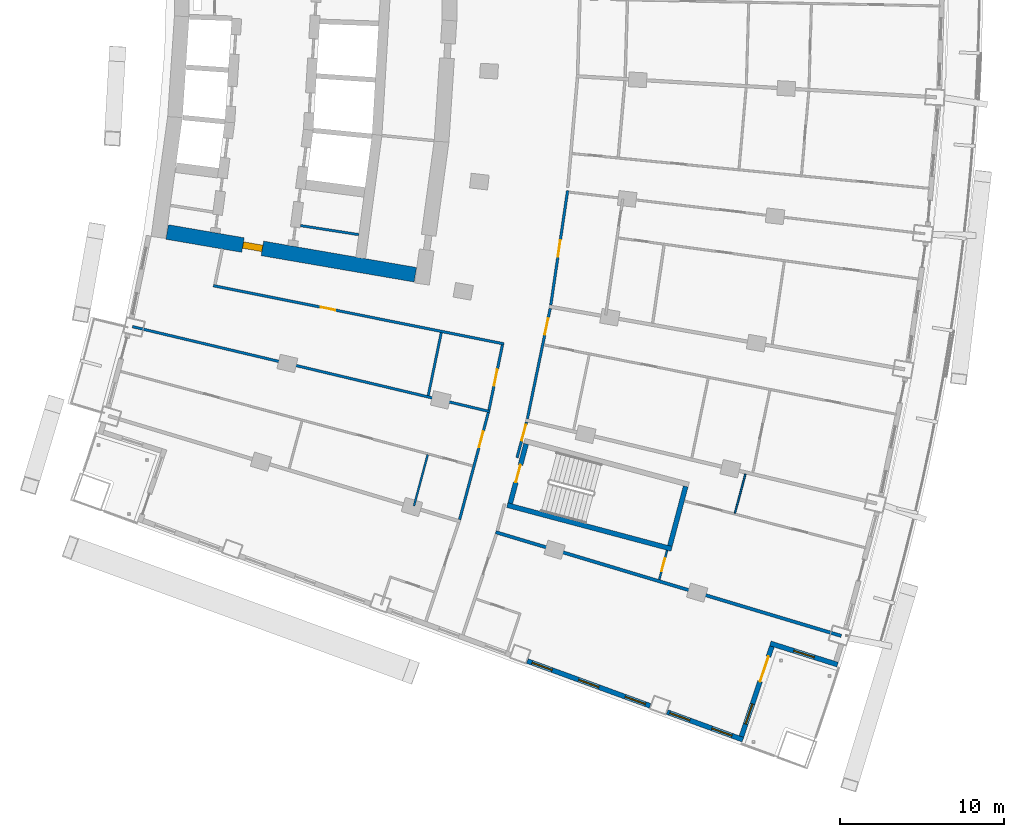
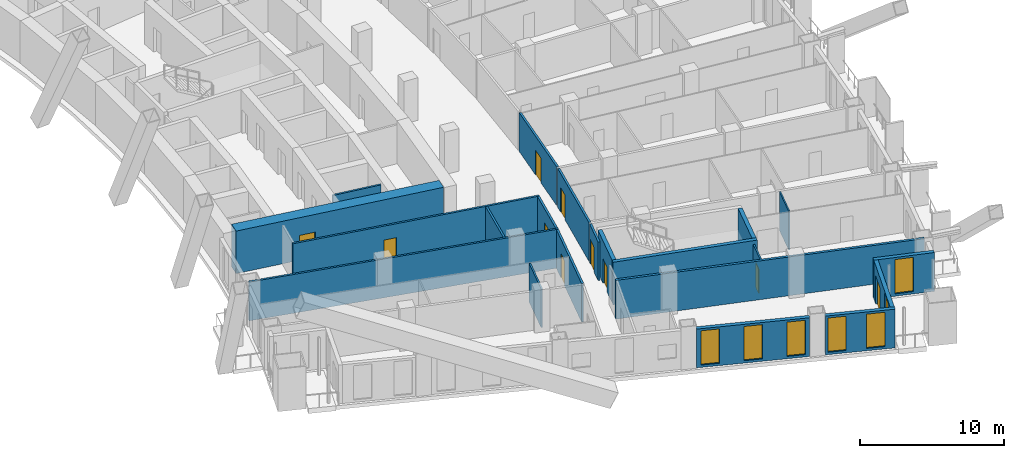
# One storey, part 14 of 25: 21 walls, 10 doors, 7 windows, 17 openings.
"""IFC4 building model written with IfcOpenShell, lengths in metres."""

from ifc_helpers import new_model, si_unit, direction, frame, frame_2d, origin, place, context, subcontext, project, spatial, rectangle, extrude, material, layer, layer_set, type_object, element, fill, save


model = new_model("IFC4")

# Units and contexts
model_context = context("Model", 3, precision=1e-05, world=origin(), true_north=direction((0.0, 1.0)))
body_context = subcontext(model_context, "Body", "Model", "MODEL_VIEW")
ifc_project = project(units=[si_unit("LENGTHUNIT", "METRE"), si_unit("AREAUNIT", "SQUARE_METRE"), si_unit("VOLUMEUNIT", "CUBIC_METRE"), si_unit("PLANEANGLEUNIT", "RADIAN"), si_unit("MASSUNIT", "GRAM", prefix="KILO")], contexts=[model_context])

# Site, building, storey
site_placement = place(None, origin())
site = spatial("IfcSite", under=ifc_project, at=site_placement, CompositionType="ELEMENT")
building_placement = place(site_placement, origin())
building = spatial("IfcBuilding", under=site, at=building_placement, Name="Alderwake Tower", CompositionType="ELEMENT")
storey_placement = place(building_placement, frame((0.0, 0.0, 42.800048828125)))
storey = spatial("IfcBuildingStorey", under=building, at=storey_placement, Name="L09", CompositionType="ELEMENT", Elevation=42.800048828125)

# Wall
ifc_material_1 = material(Name="Gypsum shaft wall system, rated")
ifc_layer_1 = layer(ifc_material_1, 0.14990234375)
ifc_layer_set_1 = layer_set([ifc_layer_1], Name="Core room partition 150")
wall_type_1 = type_object("IfcWallType", Name="Core room partition 150", PredefinedType="PARTITIONING", material=ifc_layer_set_1)
wall_1_placement = place(storey_placement, frame((24.117431640625, 44.842041015625, 0.0), z_axis=(0.0, 0.0, 1.0), x_axis=(0.988173903359, -0.153337329832, 0.0)))
element("IfcWall", 1, at=wall_1_placement, inside=storey, type_object=wall_type_1, Name="CW/L09/PR-161_+86", PredefinedType="PARTITIONING", context=body_context, shape_type="SweptSolid", body=[
    extrude(rectangle(XDim=3.5966796875, YDim=0.14990234375, at=frame_2d((1.79833984375, 0.0))), origin(), (0.0, 0.0, 1.0), 3.280029296875),
])

# Wall, opening, door
ifc_material_2 = material(Name="Concrete C70/85", Category="concrete")
ifc_layer_2 = layer(ifc_material_2, 0.89990234375)
ifc_layer_set_2 = layer_set([ifc_layer_2], Name="Core wall outer 900 C70-85")
wall_type_2 = type_object("IfcWallType", Name="Core wall outer 900 C70-85", PredefinedType="SHEAR", material=ifc_layer_set_2)
wall_2_placement = place(storey_placement, frame((31.11328125, 41.846923828125, 0.0), z_axis=(0.0, 0.0, 1.0), x_axis=(-0.985466640605, 0.169869067972, 0.0)))
wall_2 = element("IfcWall", 2, at=wall_2_placement, inside=storey, type_object=wall_type_2, Name="Core wall CW.070", PredefinedType="SHEAR", context=body_context, shape_type="SweptSolid", body=[
    extrude(rectangle(XDim=15.336669921875, YDim=0.89990234375, at=frame_2d((7.66845703125, 0.0))), origin(), (0.0, 0.0, 1.0), 3.599853515625),
])
opening_1_placement = place(wall_2_placement, frame((9.451904296875, 0.0, 0.0)))
opening_1 = element("IfcOpeningElement", 3, at=opening_1_placement, cuts=wall_2, Name="Opening C003", PredefinedType="OPENING", context=body_context, shape_type="SweptSolid", body=[
    extrude(rectangle(XDim=1.199951171875, YDim=2.10009765625, at=frame_2d((0.60009765625, 1.050048828125))), frame((0.0, 0.4599609375, 0.0), z_axis=(0.0, -1.0, 0.0), x_axis=(1.0, 0.0, 0.0)), (0.0, 0.0, 1.0), 0.919921875),
])
ifc_material_3 = material(Name="Steel-framed fire door leaf", Category="steel")
door_type_1 = type_object("IfcDoorType", Name="Core lobby exit door 1200 fire-rated", OperationType="SINGLE_SWING_LEFT", PredefinedType="DOOR", material=ifc_material_3)
door_1_placement = place(opening_1_placement, origin())
door_1 = element("IfcDoor", 4, at=door_1_placement, inside=storey, type_object=door_type_1, Name="Lobby door", OperationType="SINGLE_SWING_LEFT", OverallHeight=2.10009765625, OverallWidth=1.199951171875, PredefinedType="DOOR", context=body_context, shape_type="SweptSolid", body=[
    extrude(rectangle(XDim=1.199951171875, YDim=2.10009765625, at=frame_2d((0.60009765625, 1.050048828125))), frame((0.0, 0.199951171875, 0.0), z_axis=(0.0, -1.0, 0.0), x_axis=(1.0, 0.0, 0.0)), (0.0, 0.0, 1.0), 0.39990234375),
])
fill(opening_1, door_1)

# Wall
ifc_material_4 = material(Name="Concrete C70/85", Category="concrete")
ifc_layer_3 = layer(ifc_material_4, 0.300048828125)
ifc_layer_set_3 = layer_set([ifc_layer_3], Name="Core wall stair enclosure 300 C70-85")
wall_type_3 = type_object("IfcWallType", Name="Core wall stair enclosure 300 C70-85", PredefinedType="SHEAR", material=ifc_layer_set_3)
wall_3_placement = place(storey_placement, frame((36.71142578125, 27.817626953125, 0.0), z_axis=(0.0, 0.0, 1.0), x_axis=(0.966309214305, -0.257383958996, 0.0)))
element("IfcWall", 5, at=wall_3_placement, inside=storey, type_object=wall_type_3, Name="Core wall CW.088", PredefinedType="SHEAR", context=body_context, shape_type="SweptSolid", body=[
    extrude(rectangle(XDim=10.360107421875, YDim=0.300048828125, at=frame_2d((5.18017578125, 0.0))), origin(), (0.0, 0.0, 1.0), 3.599853515625),
])

# Wall, opening, door
wall_4_placement = place(storey_placement, frame((36.89501953125, 27.923828125, 0.0), z_axis=(0.0, 0.0, 1.0), x_axis=(0.257350630826, 0.966318090907, 0.0)))
wall_4 = element("IfcWall", 6, at=wall_4_placement, inside=storey, type_object=wall_type_3, Name="Core wall CW.087", PredefinedType="SHEAR", context=body_context, shape_type="SweptSolid", body=[
    extrude(rectangle(XDim=3.75, YDim=0.300048828125, at=frame_2d((1.875, 0.0))), origin(), (0.0, 0.0, 1.0), 3.599853515625),
])
opening_2_placement = place(wall_4_placement, frame((1.324951171875, 0.0, 0.0)))
opening_2 = element("IfcOpeningElement", 7, at=opening_2_placement, cuts=wall_4, Name="Opening C065", PredefinedType="OPENING", context=body_context, shape_type="SweptSolid", body=[
    extrude(rectangle(XDim=1.10009765625, YDim=2.10009765625, at=frame_2d((0.550048828125, 1.050048828125))), frame((0.0, 0.159912109375, 0.0), z_axis=(0.0, -1.0, 0.0), x_axis=(1.0, 0.0, 0.0)), (0.0, 0.0, 1.0), 0.320068359375),
])
ifc_material_5 = material(Name="Steel-framed fire door leaf", Category="steel")
door_type_2 = type_object("IfcDoorType", Name="Core stair door 1100 fire-rated", OperationType="SINGLE_SWING_LEFT", PredefinedType="DOOR", material=ifc_material_5)
door_2_placement = place(opening_2_placement, origin())
door_2 = element("IfcDoor", 8, at=door_2_placement, inside=storey, type_object=door_type_2, Name="Stair door", OperationType="SINGLE_SWING_LEFT", OverallHeight=2.10009765625, OverallWidth=1.10009765625, PredefinedType="DOOR", context=body_context, shape_type="SweptSolid", body=[
    extrude(rectangle(XDim=1.10009765625, YDim=2.10009765625, at=frame_2d((0.550048828125, 1.050048828125))), frame((0.0, 0.02490234375, 0.0), z_axis=(0.0, -1.0, 0.0), x_axis=(1.0, 0.0, 0.0)), (0.0, 0.0, 1.0), 0.050048828125),
])
fill(opening_2, door_2)

# Walls
wall_5_placement = place(storey_placement, frame((46.6162109375, 25.334716796875, 0.0), z_axis=(0.0, 0.0, 1.0), x_axis=(0.257366821694, 0.966313778796, 0.0)))
element("IfcWall", 9, at=wall_5_placement, inside=storey, type_object=wall_type_3, Name="Core wall CW.085", PredefinedType="SHEAR", context=body_context, shape_type="SweptSolid", body=[
    extrude(rectangle(XDim=3.749755859375, YDim=0.300048828125, at=frame_2d((1.875, 0.0))), origin(), (0.0, 0.0, 1.0), 3.599853515625),
])
ifc_material_6 = material(Name="Gypsum board on metal studs, rated")
ifc_layer_4 = layer(ifc_material_6, 0.159912109375)
ifc_layer_set_4 = layer_set([ifc_layer_4], Name="Corridor wall 160")
wall_type_4 = type_object("IfcWallType", Name="Corridor wall 160", PredefinedType="PARTITIONING", material=ifc_layer_set_4)
wall_6_placement = place(storey_placement, frame((13.884033203125, 38.68798828125, 0.0), z_axis=(0.0, 0.0, 1.0), x_axis=(0.972893462073, -0.231253781493, 0.0)))
element("IfcWall", 10, at=wall_6_placement, inside=storey, type_object=wall_type_4, Name="WL/L09/W14", PredefinedType="PARTITIONING", context=body_context, shape_type="SweptSolid", body=[
    extrude(rectangle(XDim=22.38037109375, YDim=0.159912109375, at=frame_2d((11.190185546875, 0.0))), origin(), (0.0, 0.0, 1.0), 3.280029296875),
])

# Wall, opening, door
wall_7_placement = place(storey_placement, frame((36.513427734375, 37.63427734375, 0.0), z_axis=(0.0, 0.0, 1.0), x_axis=(-0.980470254867, 0.1966674333, 0.0)))
wall_7 = element("IfcWall", 11, at=wall_7_placement, inside=storey, type_object=wall_type_4, Name="WL/L09/W15", PredefinedType="PARTITIONING", context=body_context, shape_type="SweptSolid", body=[
    extrude(rectangle(XDim=18.053466796875, YDim=0.159912109375, at=frame_2d((9.02685546875, 0.0))), origin(), (0.0, 0.0, 1.0), 3.280029296875),
])
opening_3_placement = place(wall_7_placement, frame((10.476806640625, 0.0, 0.0)))
opening_3 = element("IfcOpeningElement", 12, at=opening_3_placement, cuts=wall_7, Name="Opening R02-SBS1", PredefinedType="OPENING", context=body_context, shape_type="SweptSolid", body=[
    extrude(rectangle(XDim=0.89990234375, YDim=2.10009765625, at=frame_2d((0.449951171875, 1.050048828125))), frame((0.0, 0.08984375, 0.0), z_axis=(0.0, -1.0, 0.0), x_axis=(1.0, 0.0, 0.0)), (0.0, 0.0, 1.0), 0.179931640625),
])
ifc_material_7 = material(Name="Painted timber leaf", Category="wood")
door_type_3 = type_object("IfcDoorType", Name="Room door 900", OperationType="SINGLE_SWING_LEFT", PredefinedType="DOOR", material=ifc_material_7)
door_3_placement = place(opening_3_placement, origin())
door_3 = element("IfcDoor", 13, at=door_3_placement, inside=storey, type_object=door_type_3, Name="DR/L09/SBS1", OperationType="SINGLE_SWING_LEFT", OverallHeight=2.10009765625, OverallWidth=0.89990234375, PredefinedType="DOOR", context=body_context, shape_type="SweptSolid", body=[
    extrude(rectangle(XDim=0.89990234375, YDim=2.10009765625, at=frame_2d((0.449951171875, 1.050048828125))), frame((0.0, 0.02490234375, 0.0), z_axis=(0.0, -1.0, 0.0), x_axis=(1.0, 0.0, 0.0)), (0.0, 0.0, 1.0), 0.050048828125),
])
fill(opening_3, door_3)

wall_8_placement = place(storey_placement, frame((33.808837890625, 26.9345703125, 0.0), z_axis=(0.0, 0.0, 1.0), x_axis=(0.259298911818, 0.965797118618, 0.0)))
wall_8 = element("IfcWall", 14, at=wall_8_placement, inside=storey, type_object=wall_type_4, Name="WL/L09/W20", PredefinedType="PARTITIONING", context=body_context, shape_type="SweptSolid", body=[
    extrude(rectangle(XDim=6.75, YDim=0.159912109375, at=frame_2d((3.375, 0.0))), origin(), (0.0, 0.0, 1.0), 3.280029296875),
])
opening_4_placement = place(wall_8_placement, frame((4.5576171875, 0.0, 0.0)))
opening_4 = element("IfcOpeningElement", 15, at=opening_4_placement, cuts=wall_8, Name="Opening R02-U12.2", PredefinedType="OPENING", context=body_context, shape_type="SweptSolid", body=[
    extrude(rectangle(XDim=1.0, YDim=2.10009765625, at=frame_2d((0.5, 1.050048828125))), frame((0.0, 0.08984375, 0.0), z_axis=(0.0, -1.0, 0.0), x_axis=(1.0, 0.0, 0.0)), (0.0, 0.0, 1.0), 0.179931640625),
])
ifc_material_8 = material(Name="Solid timber leaf in steel frame", Category="steel")
door_type_4 = type_object("IfcDoorType", Name="Flat entrance door 1000 fire-rated", OperationType="SINGLE_SWING_LEFT", PredefinedType="DOOR", material=ifc_material_8)
door_4_placement = place(opening_4_placement, origin())
door_4 = element("IfcDoor", 16, at=door_4_placement, inside=storey, type_object=door_type_4, Name="DR/L09/U12.2", OperationType="SINGLE_SWING_LEFT", OverallHeight=2.10009765625, OverallWidth=1.0, PredefinedType="DOOR", context=body_context, shape_type="SweptSolid", body=[
    extrude(rectangle(XDim=1.0, YDim=2.10009765625, at=frame_2d((0.5, 1.050048828125))), frame((0.0, 0.02490234375, 0.0), z_axis=(0.0, -1.0, 0.0), x_axis=(1.0, 0.0, 0.0)), (0.0, 0.0, 1.0), 0.050048828125),
])
fill(opening_4, door_4)

wall_9_placement = place(storey_placement, frame((35.59619140625, 33.609375, 0.0), z_axis=(0.0, 0.0, 1.0), x_axis=(0.203245920818, 0.979127721838, 0.0)))
wall_9 = element("IfcWall", 17, at=wall_9_placement, inside=storey, type_object=wall_type_4, Name="WL/L09/W27", PredefinedType="PARTITIONING", context=body_context, shape_type="SweptSolid", body=[
    extrude(rectangle(XDim=4.046875, YDim=0.159912109375, at=frame_2d((2.0234375, 0.0))), origin(), (0.0, 0.0, 1.0), 3.280029296875),
])
opening_5_placement = place(wall_9_placement, frame((1.5234375, 0.0, 0.0)))
opening_5 = element("IfcOpeningElement", 18, at=opening_5_placement, cuts=wall_9, Name="Opening R02-SBS2", PredefinedType="OPENING", context=body_context, shape_type="SweptSolid", body=[
    extrude(rectangle(XDim=1.0, YDim=2.10009765625, at=frame_2d((0.5, 1.050048828125))), frame((0.0, 0.08984375, 0.0), z_axis=(0.0, -1.0, 0.0), x_axis=(1.0, 0.0, 0.0)), (0.0, 0.0, 1.0), 0.179931640625),
])
ifc_material_9 = material(Name="Steel-framed fire door leaf", Category="steel")
door_type_5 = type_object("IfcDoorType", Name="Plant room door 1000 fire-rated", OperationType="SINGLE_SWING_LEFT", PredefinedType="DOOR", material=ifc_material_9)
door_5_placement = place(opening_5_placement, origin())
door_5 = element("IfcDoor", 19, at=door_5_placement, inside=storey, type_object=door_type_5, Name="DR/L09/SBS2", OperationType="SINGLE_SWING_LEFT", OverallHeight=2.10009765625, OverallWidth=1.0, PredefinedType="DOOR", context=body_context, shape_type="SweptSolid", body=[
    extrude(rectangle(XDim=1.0, YDim=2.10009765625, at=frame_2d((0.5, 1.050048828125))), frame((0.0, 0.02490234375, 0.0), z_axis=(0.0, -1.0, 0.0), x_axis=(1.0, 0.0, 0.0)), (0.0, 0.0, 1.0), 0.050048828125),
])
fill(opening_5, door_5)

wall_10_placement = place(storey_placement, frame((37.89111328125, 32.87939453125, 0.0), z_axis=(0.0, 0.0, 1.0), x_axis=(-0.259620578816, -0.965710699462, 0.0)))
wall_10 = element("IfcWall", 20, at=wall_10_placement, inside=storey, type_object=wall_type_4, Name="WL/L09/W30", PredefinedType="PARTITIONING", context=body_context, shape_type="SweptSolid", body=[
    extrude(rectangle(XDim=2.2578125, YDim=0.159912109375, at=frame_2d((1.12890625, 0.0))), origin(), (0.0, 0.0, 1.0), 3.280029296875),
])
opening_6_placement = place(wall_10_placement, frame((0.1708984375, 0.0, 0.0)))
opening_6 = element("IfcOpeningElement", 21, at=opening_6_placement, cuts=wall_10, Name="Opening R02-U01.1", PredefinedType="OPENING", context=body_context, shape_type="SweptSolid", body=[
    extrude(rectangle(XDim=1.0, YDim=2.10009765625, at=frame_2d((0.5, 1.050048828125))), frame((0.0, 0.08984375, 0.0), z_axis=(0.0, -1.0, 0.0), x_axis=(1.0, 0.0, 0.0)), (0.0, 0.0, 1.0), 0.179931640625),
])
door_6_placement = place(opening_6_placement, origin())
door_6 = element("IfcDoor", 22, at=door_6_placement, inside=storey, type_object=door_type_4, Name="DR/L09/U01.1", OperationType="SINGLE_SWING_LEFT", OverallHeight=2.10009765625, OverallWidth=1.0, PredefinedType="DOOR", context=body_context, shape_type="SweptSolid", body=[
    extrude(rectangle(XDim=1.0, YDim=2.10009765625, at=frame_2d((0.5, 1.050048828125))), frame((0.0, 0.02490234375, 0.0), z_axis=(0.0, -1.0, 0.0), x_axis=(1.0, 0.0, 0.0)), (0.0, 0.0, 1.0), 0.050048828125),
])
fill(opening_6, door_6)

wall_11_placement = place(storey_placement, frame((39.32763671875, 39.799072265625, 0.0), z_axis=(0.0, 0.0, 1.0), x_axis=(-0.202463357072, -0.97928983914, 0.0)))
wall_11 = element("IfcWall", 23, at=wall_11_placement, inside=storey, type_object=wall_type_4, Name="WL/L09/W31", PredefinedType="PARTITIONING", context=body_context, shape_type="SweptSolid", body=[
    extrude(rectangle(XDim=6.867431640625, YDim=0.159912109375, at=frame_2d((3.43359375, 0.0))), origin(), (0.0, 0.0, 1.0), 3.280029296875),
])
opening_7_placement = place(wall_11_placement, frame((0.62744140625, 0.0, 0.0)))
opening_7 = element("IfcOpeningElement", 24, at=opening_7_placement, cuts=wall_11, Name="Opening R02-U05.3", PredefinedType="OPENING", context=body_context, shape_type="SweptSolid", body=[
    extrude(rectangle(XDim=1.0, YDim=2.10009765625, at=frame_2d((0.5, 1.050048828125))), frame((0.0, 0.08984375, 0.0), z_axis=(0.0, -1.0, 0.0), x_axis=(1.0, 0.0, 0.0)), (0.0, 0.0, 1.0), 0.179931640625),
])
door_7_placement = place(opening_7_placement, origin())
door_7 = element("IfcDoor", 25, at=door_7_placement, inside=storey, type_object=door_type_4, Name="DR/L09/U05.3", OperationType="SINGLE_SWING_LEFT", OverallHeight=2.10009765625, OverallWidth=1.0, PredefinedType="DOOR", context=body_context, shape_type="SweptSolid", body=[
    extrude(rectangle(XDim=1.0, YDim=2.10009765625, at=frame_2d((0.5, 1.050048828125))), frame((0.0, 0.02490234375, 0.0), z_axis=(0.0, -1.0, 0.0), x_axis=(1.0, 0.0, 0.0)), (0.0, 0.0, 1.0), 0.050048828125),
])
fill(opening_7, door_7)

wall_12_placement = place(storey_placement, frame((40.388671875, 46.97216796875, 0.0), z_axis=(0.0, 0.0, 1.0), x_axis=(-0.145525888156, -0.989354444007, 0.0)))
wall_12 = element("IfcWall", 26, at=wall_12_placement, inside=storey, type_object=wall_type_4, Name="WL/L09/W33", PredefinedType="PARTITIONING", context=body_context, shape_type="SweptSolid", body=[
    extrude(rectangle(XDim=7.051025390625, YDim=0.159912109375, at=frame_2d((3.525390625, 0.0))), origin(), (0.0, 0.0, 1.0), 3.280029296875),
])
opening_8_placement = place(wall_12_placement, frame((3.066162109375, 0.0, 0.0)))
opening_8 = element("IfcOpeningElement", 27, at=opening_8_placement, cuts=wall_12, Name="Opening R02-U06.2", PredefinedType="OPENING", context=body_context, shape_type="SweptSolid", body=[
    extrude(rectangle(XDim=1.0, YDim=2.10009765625, at=frame_2d((0.5, 1.050048828125))), frame((0.0, 0.08984375, 0.0), z_axis=(0.0, -1.0, 0.0), x_axis=(1.0, 0.0, 0.0)), (0.0, 0.0, 1.0), 0.179931640625),
])
door_8_placement = place(opening_8_placement, origin())
door_8 = element("IfcDoor", 28, at=door_8_placement, inside=storey, type_object=door_type_4, Name="DR/L09/U06.2", OperationType="SINGLE_SWING_LEFT", OverallHeight=2.10009765625, OverallWidth=1.0, PredefinedType="DOOR", context=body_context, shape_type="SweptSolid", body=[
    extrude(rectangle(XDim=1.0, YDim=2.10009765625, at=frame_2d((0.5, 1.050048828125))), frame((0.0, 0.02490234375, 0.0), z_axis=(0.0, -1.0, 0.0), x_axis=(1.0, 0.0, 0.0)), (0.0, 0.0, 1.0), 0.050048828125),
])
fill(opening_8, door_8)

# Wall, openings, windows
ifc_material_10 = material(Name="Bronze metal cladding on lightweight framing")
ifc_layer_5 = layer(ifc_material_10, 0.300048828125)
ifc_layer_set_5 = layer_set([ifc_layer_5], Name="External wall EW2 bronze metal cladding")
wall_type_5 = type_object("IfcWallType", Name="External wall EW2 bronze metal cladding", PredefinedType="SOLIDWALL", material=ifc_layer_set_5)
wall_13_placement = place(storey_placement, frame((37.93359375, 18.323486328125, 0.0), z_axis=(0.0, 0.0, 1.0), x_axis=(0.939370174945, -0.34290475999, 0.0)))
wall_13 = element("IfcWall", 29, at=wall_13_placement, inside=storey, type_object=wall_type_5, Name="External wall 7", PredefinedType="SOLIDWALL", context=body_context, shape_type="SweptSolid", body=[
    extrude(rectangle(XDim=7.962646484375, YDim=0.300048828125, at=frame_2d((3.9814453125, 0.0))), origin(), (0.0, 0.0, 1.0), 3.280029296875),
])
opening_9_placement = place(wall_13_placement, frame((0.30908203125, 0.0, 0.199951171875)))
opening_9 = element("IfcOpeningElement", 30, at=opening_9_placement, cuts=wall_13, Name="Opening W1", PredefinedType="OPENING", context=body_context, shape_type="SweptSolid", body=[
    extrude(rectangle(XDim=1.300048828125, YDim=2.89990234375, at=frame_2d((0.64990234375, 1.449951171875))), frame((0.0, 0.159912109375, 0.0), z_axis=(0.0, -1.0, 0.0), x_axis=(1.0, 0.0, 0.0)), (0.0, 0.0, 1.0), 0.320068359375),
])
opening_10_placement = place(wall_13_placement, frame((3.331298828125, 0.0, 0.199951171875)))
opening_10 = element("IfcOpeningElement", 31, at=opening_10_placement, cuts=wall_13, Name="Opening W1", PredefinedType="OPENING", context=body_context, shape_type="SweptSolid", body=[
    extrude(rectangle(XDim=1.300048828125, YDim=2.89990234375, at=frame_2d((0.64990234375, 1.449951171875))), frame((0.0, 0.159912109375, 0.0), z_axis=(0.0, -1.0, 0.0), x_axis=(1.0, 0.0, 0.0)), (0.0, 0.0, 1.0), 0.320068359375),
])
opening_11_placement = place(wall_13_placement, frame((6.353515625, 0.0, 0.199951171875)))
opening_11 = element("IfcOpeningElement", 32, at=opening_11_placement, cuts=wall_13, Name="Opening W1", PredefinedType="OPENING", context=body_context, shape_type="SweptSolid", body=[
    extrude(rectangle(XDim=1.300048828125, YDim=2.89990234375, at=frame_2d((0.64990234375, 1.449951171875))), frame((0.0, 0.159912109375, 0.0), z_axis=(0.0, -1.0, 0.0), x_axis=(1.0, 0.0, 0.0)), (0.0, 0.0, 1.0), 0.320068359375),
])
ifc_material_11 = material(Name="Bronze tinted glass in aluminium frame", Category="aluminium")
window_type = type_object("IfcWindowType", Name="Window W1 tall fixed and vent", PartitioningType="DOUBLE_PANEL_VERTICAL", PredefinedType="WINDOW", material=ifc_material_11)
window_1_placement = place(opening_9_placement, origin())
window_1 = element("IfcWindow", 33, at=window_1_placement, inside=storey, type_object=window_type, Name="Window W1 tall fixed and vent", OverallHeight=2.89990234375, OverallWidth=1.300048828125, PartitioningType="DOUBLE_PANEL_VERTICAL", PredefinedType="WINDOW", context=body_context, shape_type="SweptSolid", body=[
    extrude(rectangle(XDim=1.300048828125, YDim=2.89990234375, at=frame_2d((0.64990234375, 1.449951171875))), frame((0.0, 0.030029296875, 0.0), z_axis=(0.0, -1.0, 0.0), x_axis=(1.0, 0.0, 0.0)), (0.0, 0.0, 1.0), 0.06005859375),
])
fill(opening_9, window_1)
window_2_placement = place(opening_10_placement, origin())
window_2 = element("IfcWindow", 34, at=window_2_placement, inside=storey, type_object=window_type, Name="Window W1 tall fixed and vent", OverallHeight=2.89990234375, OverallWidth=1.300048828125, PartitioningType="DOUBLE_PANEL_VERTICAL", PredefinedType="WINDOW", context=body_context, shape_type="SweptSolid", body=[
    extrude(rectangle(XDim=1.300048828125, YDim=2.89990234375, at=frame_2d((0.64990234375, 1.449951171875))), frame((0.0, 0.030029296875, 0.0), z_axis=(0.0, -1.0, 0.0), x_axis=(1.0, 0.0, 0.0)), (0.0, 0.0, 1.0), 0.06005859375),
])
fill(opening_10, window_2)
window_3_placement = place(opening_11_placement, origin())
window_3 = element("IfcWindow", 35, at=window_3_placement, inside=storey, type_object=window_type, Name="Window W1 tall fixed and vent", OverallHeight=2.89990234375, OverallWidth=1.300048828125, PartitioningType="DOUBLE_PANEL_VERTICAL", PredefinedType="WINDOW", context=body_context, shape_type="SweptSolid", body=[
    extrude(rectangle(XDim=1.300048828125, YDim=2.89990234375, at=frame_2d((0.64990234375, 1.449951171875))), frame((0.0, 0.030029296875, 0.0), z_axis=(0.0, -1.0, 0.0), x_axis=(1.0, 0.0, 0.0)), (0.0, 0.0, 1.0), 0.06005859375),
])
fill(opening_11, window_3)

wall_14_placement = place(storey_placement, frame((46.45068359375, 15.214599609375, 0.0), z_axis=(0.0, 0.0, 1.0), x_axis=(0.939369008741, -0.34290795473, 0.0)))
wall_14 = element("IfcWall", 36, at=wall_14_placement, inside=storey, type_object=wall_type_5, Name="External wall 8", PredefinedType="SOLIDWALL", context=body_context, shape_type="SweptSolid", body=[
    extrude(rectangle(XDim=4.91259765625, YDim=0.300048828125, at=frame_2d((2.456298828125, 0.0))), origin(), (0.0, 0.0, 1.0), 3.280029296875),
])
opening_12_placement = place(wall_14_placement, frame((0.1640625, 0.0, 0.199951171875)))
opening_12 = element("IfcOpeningElement", 37, at=opening_12_placement, cuts=wall_14, Name="Opening W1", PredefinedType="OPENING", context=body_context, shape_type="SweptSolid", body=[
    extrude(rectangle(XDim=1.300048828125, YDim=2.89990234375, at=frame_2d((0.64990234375, 1.449951171875))), frame((0.0, 0.159912109375, 0.0), z_axis=(0.0, -1.0, 0.0), x_axis=(1.0, 0.0, 0.0)), (0.0, 0.0, 1.0), 0.320068359375),
])
opening_13_placement = place(wall_14_placement, frame((2.896484375, 0.0, 0.199951171875)))
opening_13 = element("IfcOpeningElement", 38, at=opening_13_placement, cuts=wall_14, Name="Opening W1", PredefinedType="OPENING", context=body_context, shape_type="SweptSolid", body=[
    extrude(rectangle(XDim=1.300048828125, YDim=2.89990234375, at=frame_2d((0.64990234375, 1.449951171875))), frame((0.0, 0.159912109375, 0.0), z_axis=(0.0, -1.0, 0.0), x_axis=(1.0, 0.0, 0.0)), (0.0, 0.0, 1.0), 0.320068359375),
])
window_4_placement = place(opening_12_placement, origin())
window_4 = element("IfcWindow", 39, at=window_4_placement, inside=storey, type_object=window_type, Name="Window W1 tall fixed and vent", OverallHeight=2.89990234375, OverallWidth=1.300048828125, PartitioningType="DOUBLE_PANEL_VERTICAL", PredefinedType="WINDOW", context=body_context, shape_type="SweptSolid", body=[
    extrude(rectangle(XDim=1.300048828125, YDim=2.89990234375, at=frame_2d((0.64990234375, 1.449951171875))), frame((0.0, 0.030029296875, 0.0), z_axis=(0.0, -1.0, 0.0), x_axis=(1.0, 0.0, 0.0)), (0.0, 0.0, 1.0), 0.06005859375),
])
fill(opening_12, window_4)
window_5_placement = place(opening_13_placement, origin())
window_5 = element("IfcWindow", 40, at=window_5_placement, inside=storey, type_object=window_type, Name="Window W1 tall fixed and vent", OverallHeight=2.89990234375, OverallWidth=1.300048828125, PartitioningType="DOUBLE_PANEL_VERTICAL", PredefinedType="WINDOW", context=body_context, shape_type="SweptSolid", body=[
    extrude(rectangle(XDim=1.300048828125, YDim=2.89990234375, at=frame_2d((0.64990234375, 1.449951171875))), frame((0.0, 0.030029296875, 0.0), z_axis=(0.0, -1.0, 0.0), x_axis=(1.0, 0.0, 0.0)), (0.0, 0.0, 1.0), 0.06005859375),
])
fill(opening_13, window_5)

# Wall, openings, door, window
wall_15_placement = place(storey_placement, frame((50.97265625, 13.723388671875, 0.0), z_axis=(0.0, 0.0, 1.0), x_axis=(0.320902786316, 0.947112137888, 0.0)))
wall_15 = element("IfcWall", 41, at=wall_15_placement, inside=storey, type_object=wall_type_5, Name="External wall 9", PredefinedType="SOLIDWALL", context=body_context, shape_type="SweptSolid", body=[
    extrude(rectangle(XDim=5.7919921875, YDim=0.300048828125, at=frame_2d((2.89599609375, 0.0))), origin(), (0.0, 0.0, 1.0), 3.280029296875),
])
opening_14_placement = place(wall_15_placement, frame((0.7978515625, 0.0, 0.199951171875)))
opening_14 = element("IfcOpeningElement", 42, at=opening_14_placement, cuts=wall_15, Name="Opening W1", PredefinedType="OPENING", context=body_context, shape_type="SweptSolid", body=[
    extrude(rectangle(XDim=1.300048828125, YDim=2.89990234375, at=frame_2d((0.64990234375, 1.449951171875))), frame((0.0, 0.159912109375, 0.0), z_axis=(0.0, -1.0, 0.0), x_axis=(1.0, 0.0, 0.0)), (0.0, 0.0, 1.0), 0.320068359375),
])
opening_15_placement = place(wall_15_placement, frame((3.543701171875, 0.0, 0.0)))
opening_15 = element("IfcOpeningElement", 43, at=opening_15_placement, cuts=wall_15, Name="Opening D02", PredefinedType="OPENING", context=body_context, shape_type="SweptSolid", body=[
    extrude(rectangle(XDim=1.60009765625, YDim=2.39990234375, at=frame_2d((0.800048828125, 1.199951171875))), frame((0.0, 0.159912109375, 0.0), z_axis=(0.0, -1.0, 0.0), x_axis=(1.0, 0.0, 0.0)), (0.0, 0.0, 1.0), 0.320068359375),
])
ifc_material_12 = material(Name="Bronze tinted glass in aluminium frame", Category="aluminium")
door_type_6 = type_object("IfcDoorType", Name="Terrace door TD sliding", OperationType="SLIDING_TO_LEFT", PredefinedType="DOOR", material=ifc_material_12)
door_9_placement = place(opening_15_placement, origin())
door_9 = element("IfcDoor", 44, at=door_9_placement, inside=storey, type_object=door_type_6, Name="Door D02", OperationType="SLIDING_TO_LEFT", OverallHeight=2.39990234375, OverallWidth=1.60009765625, PredefinedType="DOOR", context=body_context, shape_type="SweptSolid", body=[
    extrude(rectangle(XDim=1.60009765625, YDim=2.39990234375, at=frame_2d((0.800048828125, 1.199951171875))), frame((0.0, 0.02490234375, 0.0), z_axis=(0.0, -1.0, 0.0), x_axis=(1.0, 0.0, 0.0)), (0.0, 0.0, 1.0), 0.050048828125),
])
fill(opening_15, door_9)
window_6_placement = place(opening_14_placement, origin())
window_6 = element("IfcWindow", 45, at=window_6_placement, inside=storey, type_object=window_type, Name="Window W1 tall fixed and vent", OverallHeight=2.89990234375, OverallWidth=1.300048828125, PartitioningType="DOUBLE_PANEL_VERTICAL", PredefinedType="WINDOW", context=body_context, shape_type="SweptSolid", body=[
    extrude(rectangle(XDim=1.300048828125, YDim=2.89990234375, at=frame_2d((0.64990234375, 1.449951171875))), frame((0.0, 0.030029296875, 0.0), z_axis=(0.0, -1.0, 0.0), x_axis=(1.0, 0.0, 0.0)), (0.0, 0.0, 1.0), 0.06005859375),
])
fill(opening_14, window_6)

# Wall, opening, window
wall_16_placement = place(storey_placement, frame((52.736328125, 19.396240234375, 0.0), z_axis=(0.0, 0.0, 1.0), x_axis=(0.953470039543, -0.301487783656, 0.0)))
wall_16 = element("IfcWall", 46, at=wall_16_placement, inside=storey, type_object=wall_type_5, Name="External wall 10", PredefinedType="SOLIDWALL", context=body_context, shape_type="SweptSolid", body=[
    extrude(rectangle(XDim=4.294189453125, YDim=0.300048828125, at=frame_2d((2.14697265625, 0.0))), origin(), (0.0, 0.0, 1.0), 3.280029296875),
])
opening_16_placement = place(wall_16_placement, frame((1.4970703125, 0.0, 0.199951171875)))
opening_16 = element("IfcOpeningElement", 47, at=opening_16_placement, cuts=wall_16, Name="Opening W1", PredefinedType="OPENING", context=body_context, shape_type="SweptSolid", body=[
    extrude(rectangle(XDim=1.300048828125, YDim=2.89990234375, at=frame_2d((0.64990234375, 1.449951171875))), frame((0.0, 0.159912109375, 0.0), z_axis=(0.0, -1.0, 0.0), x_axis=(1.0, 0.0, 0.0)), (0.0, 0.0, 1.0), 0.320068359375),
])
window_7_placement = place(opening_16_placement, origin())
window_7 = element("IfcWindow", 48, at=window_7_placement, inside=storey, type_object=window_type, Name="Window W1 tall fixed and vent", OverallHeight=2.89990234375, OverallWidth=1.300048828125, PartitioningType="DOUBLE_PANEL_VERTICAL", PredefinedType="WINDOW", context=body_context, shape_type="SweptSolid", body=[
    extrude(rectangle(XDim=1.300048828125, YDim=2.89990234375, at=frame_2d((0.64990234375, 1.449951171875))), frame((0.0, 0.030029296875, 0.0), z_axis=(0.0, -1.0, 0.0), x_axis=(1.0, 0.0, 0.0)), (0.0, 0.0, 1.0), 0.06005859375),
])
fill(opening_16, window_7)

# Walls
ifc_material_13 = material(Name="Dense block masonry wall", Category="masonry")
ifc_layer_6 = layer(ifc_material_13, 0.199951171875)
ifc_layer_set_6 = layer_set([ifc_layer_6], Name="Party wall 200")
wall_type_6 = type_object("IfcWallType", Name="Party wall 200", PredefinedType="SOLIDWALL", material=ifc_layer_set_6)
wall_17_placement = place(storey_placement, frame((36.00439453125, 26.1708984375, 0.0), z_axis=(0.0, 0.0, 1.0), x_axis=(0.957775218264, -0.287518053832, 0.0)))
element("IfcWall", 49, at=wall_17_placement, inside=storey, type_object=wall_type_6, Name="WL/L09/W03", PredefinedType="SOLIDWALL", context=body_context, shape_type="SweptSolid", body=[
    extrude(rectangle(XDim=21.980712890625, YDim=0.199951171875, at=frame_2d((10.990234375, 0.0))), origin(), (0.0, 0.0, 1.0), 3.280029296875),
])
ifc_material_14 = material(Name="Gypsum shaft wall system, rated")
ifc_layer_7 = layer(ifc_material_14, 0.14990234375)
ifc_layer_set_7 = layer_set([ifc_layer_7], Name="Riser and shaft wall 150")
wall_type_7 = type_object("IfcWallType", Name="Riser and shaft wall 150", PredefinedType="PARTITIONING", material=ifc_layer_set_7)
wall_18_placement = place(storey_placement, frame((31.900146484375, 34.48828125, 0.0), z_axis=(0.0, 0.0, 1.0), x_axis=(0.20266545775, 0.979248034073, 0.0)))
element("IfcWall", 50, at=wall_18_placement, inside=storey, type_object=wall_type_7, Name="WL/L09/W12", PredefinedType="PARTITIONING", context=body_context, shape_type="SweptSolid", body=[
    extrude(rectangle(XDim=3.911376953125, YDim=0.14990234375, at=frame_2d((1.95556640625, 0.0))), origin(), (0.0, 0.0, 1.0), 3.280029296875),
])
ifc_material_15 = material(Name="Gypsum board on metal studs")
ifc_layer_8 = layer(ifc_material_15, 0.10009765625)
ifc_layer_set_8 = layer_set([ifc_layer_8], Name="Unit partition 100")
wall_type_8 = type_object("IfcWallType", Name="Unit partition 100", PredefinedType="PARTITIONING", material=ifc_layer_set_8)
wall_19_placement = place(storey_placement, frame((50.574951171875, 27.32421875, 0.0), z_axis=(0.0, 0.0, 1.0), x_axis=(0.259739710308, 0.965678664406, 0.0)))
element("IfcWall", 51, at=wall_19_placement, inside=storey, type_object=wall_type_8, Name="WL/L09/W78", PredefinedType="PARTITIONING", context=body_context, shape_type="SweptSolid", body=[
    extrude(rectangle(XDim=2.47216796875, YDim=0.10009765625, at=frame_2d((1.236083984375, 0.0))), origin(), (0.0, 0.0, 1.0), 3.280029296875),
])
ifc_material_16 = material(Name="Moisture resistant gypsum board on metal studs")
ifc_layer_9 = layer(ifc_material_16, 0.1201171875)
ifc_layer_set_9 = layer_set([ifc_layer_9], Name="Wet room partition 120")
wall_type_9 = type_object("IfcWallType", Name="Wet room partition 120", PredefinedType="PARTITIONING", material=ifc_layer_set_9)
wall_20_placement = place(storey_placement, frame((31.867919921875, 30.8876953125, 0.0), z_axis=(0.0, 0.0, 1.0), x_axis=(-0.259149206489, -0.96583729933, 0.0)))
element("IfcWall", 52, at=wall_20_placement, inside=storey, type_object=wall_type_9, Name="WL/L09/W45", PredefinedType="PARTITIONING", context=body_context, shape_type="SweptSolid", body=[
    extrude(rectangle(XDim=3.2294921875, YDim=0.1201171875, at=frame_2d((1.61474609375, 0.0))), origin(), (0.0, 0.0, 1.0), 3.280029296875),
])

# Wall, opening, door
wall_21_placement = place(storey_placement, frame((45.970947265625, 23.28369140625, 0.0), z_axis=(0.0, 0.0, 1.0), x_axis=(0.258764710752, 0.965940383497, 0.0)))
wall_21 = element("IfcWall", 53, at=wall_21_placement, inside=storey, type_object=wall_type_9, Name="WL/L09/W62", PredefinedType="PARTITIONING", context=body_context, shape_type="SweptSolid", body=[
    extrude(rectangle(XDim=1.847412109375, YDim=0.1201171875, at=frame_2d((0.923828125, 0.0))), origin(), (0.0, 0.0, 1.0), 3.280029296875),
])
opening_17_placement = place(wall_21_placement, frame((0.523681640625, 0.0, 0.0)))
opening_17 = element("IfcOpeningElement", 54, at=opening_17_placement, cuts=wall_21, Name="Opening R02-U01.4", PredefinedType="OPENING", context=body_context, shape_type="SweptSolid", body=[
    extrude(rectangle(XDim=0.800048828125, YDim=2.10009765625, at=frame_2d((0.39990234375, 1.050048828125))), frame((0.0, 0.070068359375, 0.0), z_axis=(0.0, -1.0, 0.0), x_axis=(1.0, 0.0, 0.0)), (0.0, 0.0, 1.0), 0.14013671875),
])
ifc_material_17 = material(Name="Painted timber leaf", Category="wood")
door_type_7 = type_object("IfcDoorType", Name="Bathroom door 800", OperationType="SINGLE_SWING_LEFT", PredefinedType="DOOR", material=ifc_material_17)
door_10_placement = place(opening_17_placement, origin())
door_10 = element("IfcDoor", 55, at=door_10_placement, inside=storey, type_object=door_type_7, Name="DR/L09/U01.4", OperationType="SINGLE_SWING_LEFT", OverallHeight=2.10009765625, OverallWidth=0.800048828125, PredefinedType="DOOR", context=body_context, shape_type="SweptSolid", body=[
    extrude(rectangle(XDim=0.800048828125, YDim=2.10009765625, at=frame_2d((0.39990234375, 1.050048828125))), frame((0.0, 0.02490234375, 0.0), z_axis=(0.0, -1.0, 0.0), x_axis=(1.0, 0.0, 0.0)), (0.0, 0.0, 1.0), 0.050048828125),
])
fill(opening_17, door_10)

save(model, "model.ifc")
